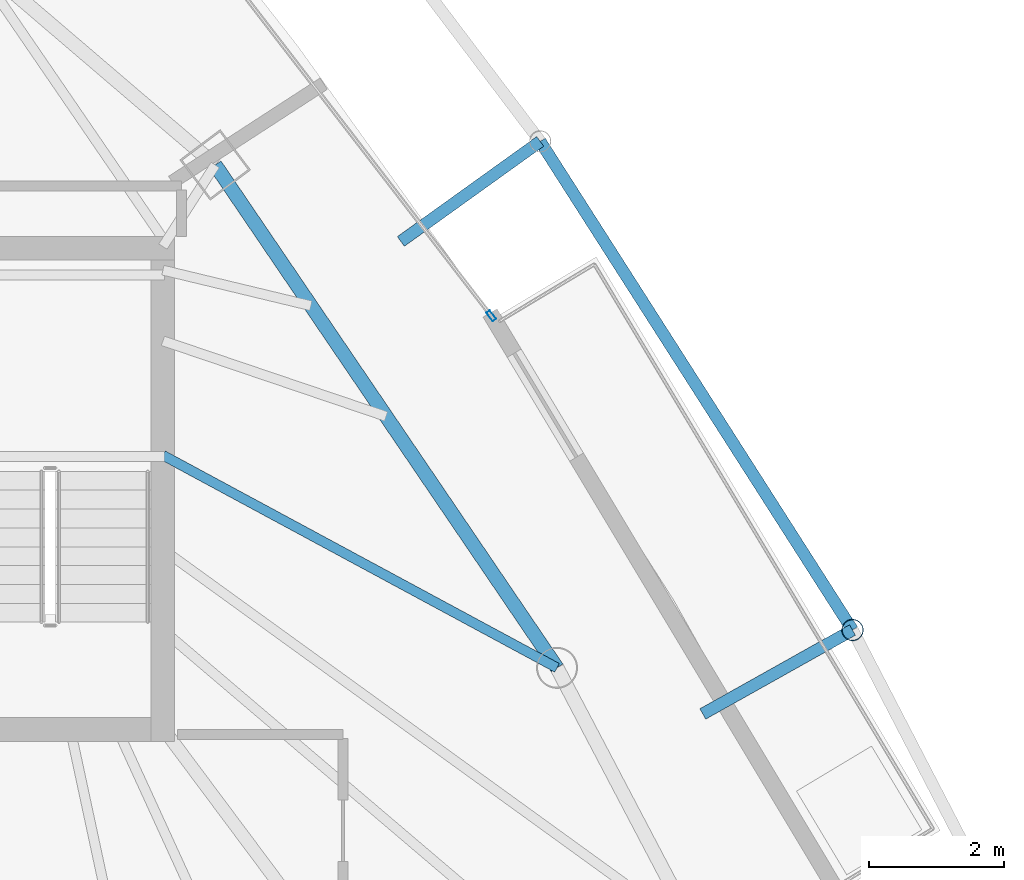
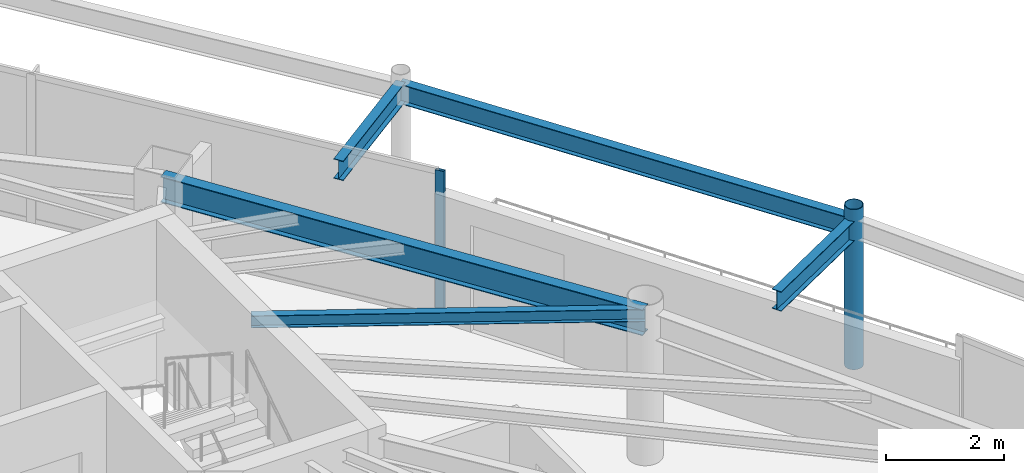
# One storey, part 20 of 30: 5 beams, 2 members, 1 element without a shape of its own.
"""IFC4 building model written with IfcOpenShell, lengths in metres."""

from ifc_helpers import new_model, si_unit, direction, frame, origin, origin_2d, place, context, subcontext, project, spatial, hollow_rectangle, hollow_circle, i_section, extrude, material, layer, layer_set, material_profile, profile_set, type_object, element, aggregate, save


model = new_model("IFC4")

# Units and contexts
model_context = context("Model", 3, precision=1e-05, world=origin(), true_north=direction((0.0, 1.0)))
body_context = subcontext(model_context, "Body", "Model", "MODEL_VIEW")
ifc_project = project(units=[si_unit("LENGTHUNIT", "METRE"), si_unit("AREAUNIT", "SQUARE_METRE"), si_unit("VOLUMEUNIT", "CUBIC_METRE"), si_unit("PLANEANGLEUNIT", "RADIAN"), si_unit("MASSUNIT", "GRAM", prefix="KILO")], contexts=[model_context])

# Site, building, storey
site_placement = place(None, origin())
site = spatial("IfcSite", under=ifc_project, at=site_placement, CompositionType="ELEMENT")
building_placement = place(site_placement, origin())
building = spatial("IfcBuilding", under=site, at=building_placement, Name="Orvanel Arch Residences", CompositionType="ELEMENT")
storey_placement = place(building_placement, frame((0.0, 0.0, 229.39990234375)))
storey = spatial("IfcBuildingStorey", under=building, at=storey_placement, Name="L65", CompositionType="ELEMENT", Elevation=229.39990234375)

# Beam
ifc_material_1 = material(Name="Structural steel AS/NZS 3679.1 Grade 300 (300 MPa)", Category="steel")
ifc_material_profile_1 = material_profile(ifc_material_1, i_section(OverallWidth=0.14599609375, OverallDepth=0.251953125, WebThickness=0.006103515625, FlangeThickness=0.008544921875, at=origin_2d()), Name="250UB31.4")
ifc_profile_set_1 = profile_set([ifc_material_profile_1], Name="Structural steel AS/NZS 3679.1 Grade 300 (300 MPa)")
beam_type_1 = type_object("IfcBeamType", Name="BJ-250UB", PredefinedType="JOIST", material=ifc_profile_set_1)
beam_1_placement = place(storey_placement, frame((39.574951171875, 30.800048828125, 2.93408203125), z_axis=(0.880111494021, -0.474767056664, 0.0), x_axis=(0.474767056664, 0.880111494021, 0.0)))
element("IfcBeam", 1, at=beam_1_placement, inside=storey, type_object=beam_type_1, Name="L65 NE Wing Floor Joist", PredefinedType="JOIST", context=body_context, shape_type="SweptSolid", body=[
    extrude(i_section(OverallWidth=0.14599609375, OverallDepth=0.251953125, WebThickness=0.006103515625, FlangeThickness=0.008544921875, at=origin_2d()), origin(), (0.0, 0.0, 1.0), 6.653564453125),
])

# Curtain wall, member
ifc_material_2 = material(Name="Bronze-anodised aluminium AA6063-T6", Category="aluminium")
ifc_layer = layer(ifc_material_2, 0.175048828125)
ifc_layer_set = layer_set([ifc_layer], Name="Bronze-anodised aluminium AA6063-T6")
curtain_wall_type = type_object("IfcCurtainWallType", Name="CW4-HI-SYS", PredefinedType="NOTDEFINED", material=ifc_layer_set)
curtain_wall_placement = place(storey_placement, origin())
curtain_wall = element("IfcCurtainWall", 2, at=curtain_wall_placement, inside=storey, type_object=curtain_wall_type, Name="L65 CW4-HI-SYS Unitised Curtain Wall", PredefinedType="NOTDEFINED")
ifc_material_profile_2 = material_profile(ifc_material_2, hollow_rectangle(XDim=0.06494140625, YDim=0.159912109375, WallThickness=0.00390625, at=origin_2d()), Name="ALU160x65x4")
ifc_profile_set_2 = profile_set([ifc_material_profile_2], Name="Bronze-anodised aluminium AA6063-T6")
member_type_1 = type_object("IfcMemberType", Name="MUL-160x65", PredefinedType="MULLION", material=ifc_profile_set_2)
member_1_placement = place(storey_placement, frame((44.4541015625, 32.871826171875, 0.0), z_axis=(0.0, 0.0, 1.0), x_axis=(-0.791845950951, -0.610720877294, 0.0)))
member_1 = element("IfcMember", 3, at=member_1_placement, type_object=member_type_1, Name="CW-S4 mullion 1", PredefinedType="MULLION", context=body_context, shape_type="SweptSolid", body=[
    extrude(hollow_rectangle(XDim=0.06494140625, YDim=0.159912109375, WallThickness=0.00390625, at=origin_2d()), origin(), (0.0, 0.0, 1.0), 3.06005859375),
])
aggregate(curtain_wall, [member_1])

# Beams
ifc_material_profile_3 = material_profile(ifc_material_1, i_section(OverallWidth=0.177978515625, OverallDepth=0.406005859375, WebThickness=0.0078125, FlangeThickness=0.0126953125, at=origin_2d()), Name="410UB59.7")
ifc_profile_set_3 = profile_set([ifc_material_profile_3], Name="Structural steel AS/NZS 3679.1 Grade 300 (300 MPa)")
beam_type_2 = type_object("IfcBeamType", Name="OB-410UB-EXT", PredefinedType="SPANDREL", material=ifc_profile_set_3)
beam_2_placement = place(storey_placement, frame((47.596923828125, 26.9560546875, 2.857177734375), z_axis=(0.872285503141, 0.488996933539, 0.0), x_axis=(-0.488996933539, 0.872285503141, 0.0)))
element("IfcBeam", 4, at=beam_2_placement, inside=storey, type_object=beam_type_2, Name="L65 Outer Frame Radial Tie Beam 10", PredefinedType="SPANDREL", context=body_context, shape_type="SweptSolid", body=[
    extrude(i_section(OverallWidth=0.177978515625, OverallDepth=0.406005859375, WebThickness=0.0078125, FlangeThickness=0.0126953125, at=origin_2d()), origin(), (0.0, 0.0, 1.0), 2.5498046875),
])
beam_3_placement = place(storey_placement, frame((49.821044921875, 28.202880859375, 2.857177734375), z_axis=(-0.538537387741, 0.84260161524, 0.0), x_axis=(-0.84260161524, -0.538537387741, 0.0)))
element("IfcBeam", 5, at=beam_3_placement, inside=storey, type_object=beam_type_2, Name="L65 Outer Perimeter Floor Ring Beam 10", PredefinedType="SPANDREL", context=body_context, shape_type="SweptSolid", body=[
    extrude(i_section(OverallWidth=0.177978515625, OverallDepth=0.406005859375, WebThickness=0.0078125, FlangeThickness=0.0126953125, at=origin_2d()), origin(), (0.0, 0.0, 1.0), 8.6162109375),
])
beam_4_placement = place(storey_placement, frame((43.110107421875, 33.97607421875, 2.857177734375), z_axis=(0.812307446417, 0.58322946813, 0.0), x_axis=(-0.58322946813, 0.812307446417, 0.0)))
element("IfcBeam", 6, at=beam_4_placement, inside=storey, type_object=beam_type_2, Name="L65 Outer Frame Radial Tie Beam 11", PredefinedType="SPANDREL", context=body_context, shape_type="SweptSolid", body=[
    extrude(i_section(OverallWidth=0.177978515625, OverallDepth=0.406005859375, WebThickness=0.0078125, FlangeThickness=0.0126953125, at=origin_2d()), origin(), (0.0, 0.0, 1.0), 2.54931640625),
])
ifc_material_profile_4 = material_profile(ifc_material_1, i_section(OverallWidth=0.208984375, OverallDepth=0.532958984375, WebThickness=0.01025390625, FlangeThickness=0.015625, at=origin_2d()), Name="530UB92.4")
ifc_profile_set_4 = profile_set([ifc_material_profile_4], Name="Structural steel AS/NZS 3679.1 Grade 300 (300 MPa)")
beam_type_3 = type_object("IfcBeamType", Name="SP-530UB", PredefinedType="SPANDREL", material=ifc_profile_set_4)
beam_5_placement = place(storey_placement, frame((45.430908203125, 27.64111328125, 2.794189453125), z_axis=(-0.562154793153, 0.827032035978, 0.0), x_axis=(-0.827032035978, -0.562154793153, 0.0)))
element("IfcBeam", 7, at=beam_5_placement, inside=storey, type_object=beam_type_3, Name="L65 Perimeter Spandrel Beam 08", PredefinedType="SPANDREL", context=body_context, shape_type="SweptSolid", body=[
    extrude(i_section(OverallWidth=0.208984375, OverallDepth=0.532958984375, WebThickness=0.01025390625, FlangeThickness=0.015625, at=origin_2d()), origin(), (0.0, 0.0, 1.0), 9.03466796875),
])

# Member
ifc_material_3 = material(Name="Structural steel AS/NZS 1163 C350L0 (Grade 350)", Category="steel")
ifc_material_profile_5 = material_profile(ifc_material_3, hollow_circle(Radius=0.162109375, WallThickness=0.0126953125, at=origin_2d()), Name="CHS324x12.7")
ifc_profile_set_5 = profile_set([ifc_material_profile_5], Name="Structural steel AS/NZS 1163 C350L0 (Grade 350)")
member_type_2 = type_object("IfcMemberType", Name="ST-324CHS-EXT", PredefinedType="STRUT", material=ifc_profile_set_5)
member_2_placement = place(storey_placement, frame((49.821044921875, 28.202880859375, 0.0), z_axis=(0.0, 0.0, 1.0), x_axis=(1.0, 0.0, 0.0)))
element("IfcMember", 8, at=member_2_placement, inside=storey, type_object=member_type_2, Name="L65 Outer Perimeter Frame Post 10", PredefinedType="STRUT", context=body_context, shape_type="SweptSolid", body=[
    extrude(hollow_circle(Radius=0.162109375, WallThickness=0.0126953125, at=origin_2d()), origin(), (0.0, 0.0, 1.0), 3.300048828125),
])

save(model, "model.ifc")
